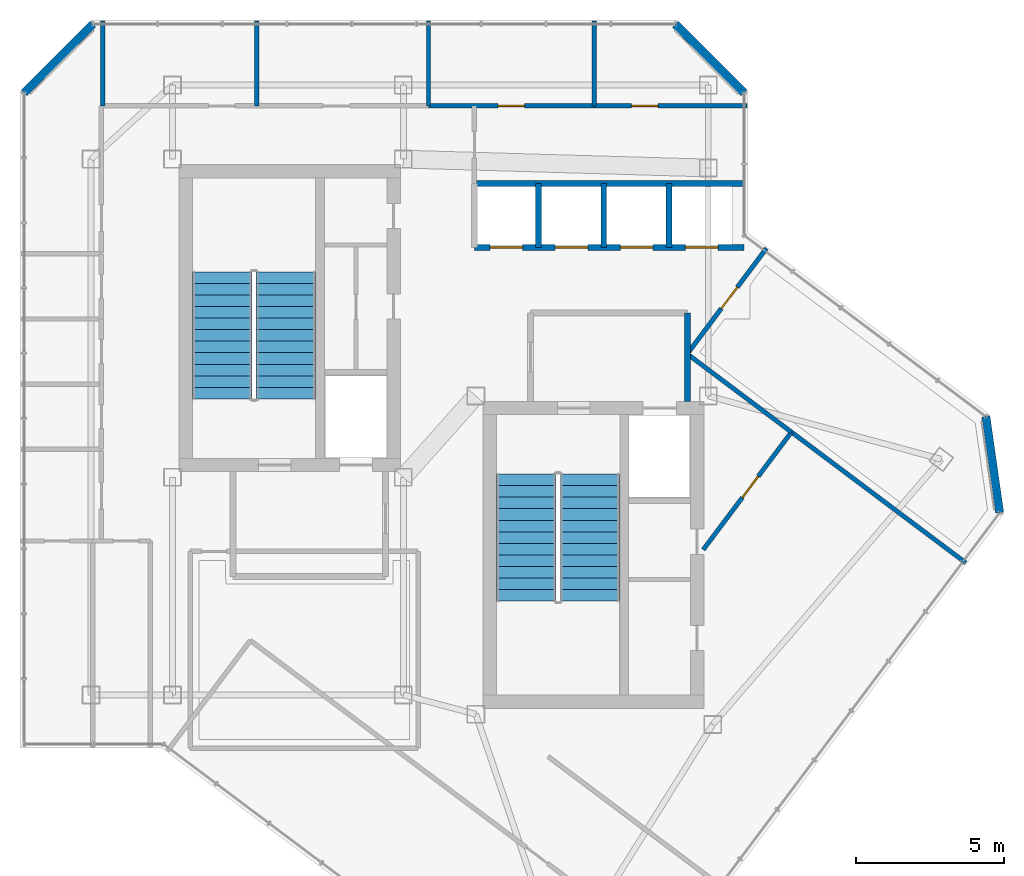
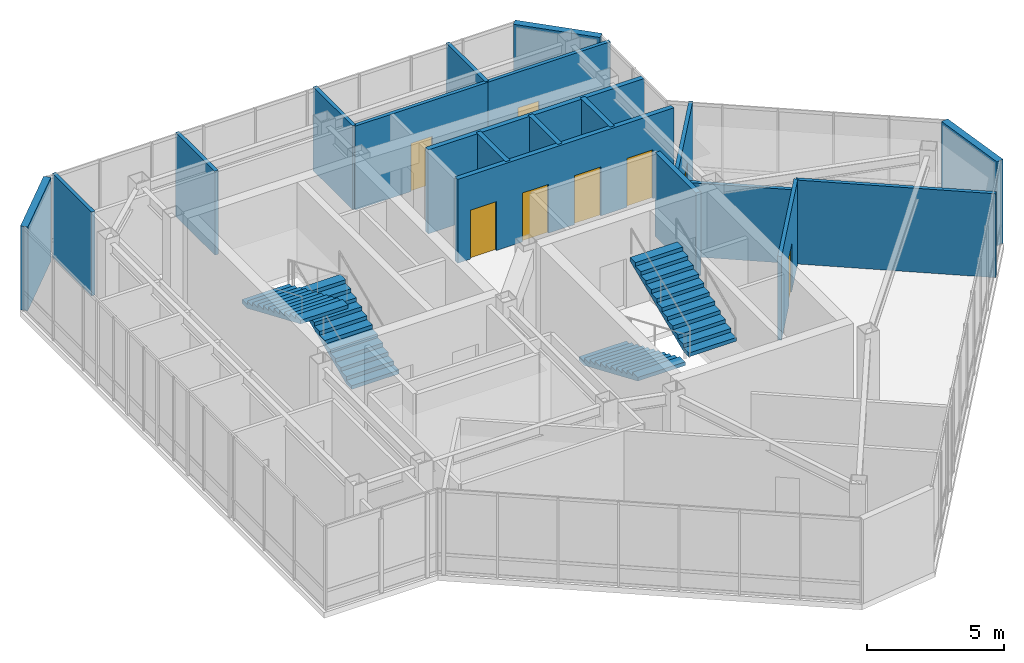
# One storey, part 27 of 29: 19 walls, 8 doors, 4 stair flights, 8 openings, 2 elements without a shape of their own.
"""IFC4 building model written with IfcOpenShell, lengths in metres."""

import ifcopenshell
import ifcopenshell.guid

model = None  # the IFC model being written
_history = None  # IfcOwnerHistory: only IFC2X3 demands one
_inside = {}  # id of a spatial element -> (the spatial element, [elements in it])
_under = {}  # id of a project, library or spatial element -> (it, [spatial elements below it])
_declared = {}  # id of a project -> (the project, [libraries it declares])
_typed = {}  # id of a type object -> (the type object, [elements of that type])
_made_of = {}  # id of a material, layer set ... -> (it, [elements and type objects made of it])


def new_model(schema):
    """Start an empty IFC model of exactly this schema.

    Asked for "IFC4X3", IfcOpenShell would pick the latest addendum, in which some entities
    have other attributes; the version numbers below select the first issue.
    IFC2X3 requires an IfcOwnerHistory on every rooted entity: one is made here for all.
    """
    global model, _history
    if schema == "IFC4X3":
        model = ifcopenshell.file(schema_version=(4, 3, 0, 0))
    else:
        model = ifcopenshell.file(schema=schema)
    _inside.clear()
    _under.clear()
    _declared.clear()
    _typed.clear()
    _made_of.clear()
    _history = None
    if model.schema == "IFC2X3":
        org = make("IfcOrganization", Name="unknown")
        user = make(
            "IfcPersonAndOrganization",
            ThePerson=make("IfcPerson", FamilyName="unknown"),
            TheOrganization=org,
        )
        app = make(
            "IfcApplication",
            ApplicationDeveloper=org,
            Version="unknown",
            ApplicationFullName="unknown",
            ApplicationIdentifier="unknown",
        )
        _history = make(
            "IfcOwnerHistory",
            OwningUser=user,
            OwningApplication=app,
            ChangeAction="ADDED",
            CreationDate=0,
        )
    return model


def make(cls, **values):
    """One entity of the class cls with the attributes given. An attribute that is None is left unset."""
    return model.create_entity(
        cls, **{name: value for name, value in values.items() if value is not None}
    )


def rooted(cls, **values):
    """An entity with a GlobalId (a new one), such as an element, a storey or a relation."""
    return make(cls, GlobalId=ifcopenshell.guid.new(), OwnerHistory=_history, **values)


def si_unit(unit_type, name, prefix=None):
    """IfcSIUnit, for example si_unit("LENGTHUNIT", "METRE", prefix="MILLI")."""
    return make("IfcSIUnit", UnitType=unit_type, Prefix=prefix, Name=name)


def assignment(units):
    """IfcUnitAssignment: the units of a project."""
    return None if units is None else make("IfcUnitAssignment", Units=units)


def point(xyz):
    """IfcCartesianPoint."""
    return None if xyz is None else make("IfcCartesianPoint", Coordinates=xyz)


def direction(xyz):
    """IfcDirection."""
    return None if xyz is None else make("IfcDirection", DirectionRatios=xyz)


def frame(location, z_axis=None, x_axis=None):
    """IfcAxis2Placement3D, a coordinate frame: its origin and axes. An axis left out is left unset."""
    return make(
        "IfcAxis2Placement3D",
        Location=point(location),
        Axis=direction(z_axis),
        RefDirection=direction(x_axis),
    )


def frame_2d(location, x_axis=None):
    """IfcAxis2Placement2D, a coordinate frame in the plane: its origin and x axis."""
    return make(
        "IfcAxis2Placement2D", Location=point(location), RefDirection=direction(x_axis)
    )


def origin():
    """The frame at (0, 0, 0) with its axes left unset."""
    return frame((0.0, 0.0, 0.0))


def place(relative_to, where):
    """IfcLocalPlacement: puts the frame where relative to a parent placement (None: the world)."""
    return make(
        "IfcLocalPlacement", PlacementRelTo=relative_to, RelativePlacement=where
    )


def context(
    kind, dimensions, precision=None, world=None, true_north=None, identifier=None
):
    """IfcGeometricRepresentationContext, for example the 3D "Model" context."""
    return make(
        "IfcGeometricRepresentationContext",
        ContextIdentifier=identifier,
        ContextType=kind,
        CoordinateSpaceDimension=dimensions,
        Precision=precision,
        WorldCoordinateSystem=world,
        TrueNorth=true_north,
    )


def subcontext(parent, identifier, kind, view, scale=None):
    """IfcGeometricRepresentationSubContext, for example "Body" below "Model"."""
    return make(
        "IfcGeometricRepresentationSubContext",
        ContextIdentifier=identifier,
        ContextType=kind,
        ParentContext=parent,
        TargetScale=scale,
        TargetView=view,
    )


def project(units=None, contexts=None):
    """IfcProject with its units and contexts."""
    return rooted(
        "IfcProject",
        Name="project",
        RepresentationContexts=contexts,
        UnitsInContext=assignment(units),
    )


def spatial(cls, under=None, at=None, **own):
    """A site, building, storey or space (cls), placed at a placement, below another one or the project."""
    s = rooted(cls, ObjectPlacement=at, **own)
    if under is not None:
        _under.setdefault(under.id(), (under, []))[1].append(s)
    return s


def polyline(points):
    """IfcPolyline through the points."""
    return make("IfcPolyline", Points=[point(p) for p in points])


def profile(cls, at=None, kind="AREA", **sizes):
    """A parametric profile (cls). Its sizes go by their IFC names, for example OverallWidth=200.0."""
    return make(cls, ProfileType=kind, Position=at, **sizes)


def rectangle(**sizes):
    """IfcRectangleProfileDef."""
    return profile("IfcRectangleProfileDef", **sizes)


def outline(outer, holes=None, kind="AREA"):
    """IfcArbitraryClosedProfileDef: a profile drawn as a closed curve; with holes, ...WithVoids."""
    if holes is None:
        return make("IfcArbitraryClosedProfileDef", ProfileType=kind, OuterCurve=outer)
    return make(
        "IfcArbitraryProfileDefWithVoids",
        ProfileType=kind,
        OuterCurve=outer,
        InnerCurves=holes,
    )


def extrude(swept, where, along, depth):
    """IfcExtrudedAreaSolid: the profile swept, set in the frame where, extruded along a direction by depth."""
    return make(
        "IfcExtrudedAreaSolid",
        SweptArea=swept,
        Position=where,
        ExtrudedDirection=direction(along),
        Depth=depth,
    )


def shape(context_of_items, identifier, shape_type, items):
    """IfcShapeRepresentation: the items that make up one representation, for example the "Body"."""
    return make(
        "IfcShapeRepresentation",
        ContextOfItems=context_of_items,
        RepresentationIdentifier=identifier,
        RepresentationType=shape_type,
        Items=items,
    )


def material(Name=None, Category=None):
    """IfcMaterial."""
    return make("IfcMaterial", Name=Name, Category=Category)


def layer(
    of_material, thickness, ventilated=None, Name=None, Category=None, Priority=None
):
    """IfcMaterialLayer: one layer of a wall or slab, of a material (None: an air gap)."""
    return make(
        "IfcMaterialLayer",
        Material=of_material,
        LayerThickness=thickness,
        IsVentilated=ventilated,
        Name=Name,
        Category=Category,
        Priority=Priority,
    )


def layer_set(layers, Name=None):
    """IfcMaterialLayerSet."""
    return make("IfcMaterialLayerSet", MaterialLayers=layers, LayerSetName=Name)


def made_of(thing, what):
    """Note that an element or type object is made of a material, layer set ...; save() writes the relation."""
    if what is not None:
        _made_of.setdefault(what.id(), (what, []))[1].append(thing)
    return thing


def type_object(cls, material=None, **own):
    """A type object (cls), such as IfcWallType, which elements share."""
    return made_of(rooted(cls, **own), material)


def element(
    cls,
    number,
    at=None,
    inside=None,
    cuts=None,
    type_object=None,
    material=None,
    context=None,
    identifier="Body",
    shape_type=None,
    held_by="IfcProductDefinitionShape",
    body=None,
    shapes=None,
    **own,
):
    """One element of the class cls, such as IfcWall. Its Tag is "e" and its number.

    at: its placement. inside: the storey or other place that contains it. cuts: it is an
    opening in that element (IfcRelVoidsElement). A single representation is given by context,
    identifier, shape_type and body (its items); several are given by shapes. held_by: the class
    of the entity that holds the representations. save() writes the other relations.
    """
    e = rooted(cls, Tag="e%d" % number, ObjectPlacement=at, **own)
    if body is not None:
        shapes = [shape(context, identifier, shape_type, body)]
    if shapes is not None:
        e.Representation = make(held_by, Representations=shapes)
    if inside is not None:
        _inside.setdefault(inside.id(), (inside, []))[1].append(e)
    if cuts is not None:
        rooted(
            "IfcRelVoidsElement", RelatingBuildingElement=cuts, RelatedOpeningElement=e
        )
    if type_object is not None:
        _typed.setdefault(type_object.id(), (type_object, []))[1].append(e)
    return made_of(e, material)


def fill(opening, filler):
    """IfcRelFillsElement: the door or window that sits in an opening."""
    return rooted(
        "IfcRelFillsElement",
        RelatingOpeningElement=opening,
        RelatedBuildingElement=filler,
    )


def aggregate(whole, parts):
    """IfcRelAggregates: a whole, such as a stair, and the parts it consists of."""
    return rooted("IfcRelAggregates", RelatingObject=whole, RelatedObjects=parts)


def save(model, path):
    """Write the relations noted so far, then the file.

    IfcRelAggregates (storeys below a building ...), IfcRelContainedInSpatialStructure (elements
    in a storey), IfcRelDefinesByType, IfcRelAssociatesMaterial and IfcRelDeclares: one each for
    every whole, place, type object, material and project.
    """
    for whole, parts in _under.values():
        aggregate(whole, parts)
    for where, things in _inside.values():
        rooted(
            "IfcRelContainedInSpatialStructure",
            RelatedElements=things,
            RelatingStructure=where,
        )
    for kind, things in _typed.values():
        rooted("IfcRelDefinesByType", RelatedObjects=things, RelatingType=kind)
    for what, things in _made_of.values():
        rooted("IfcRelAssociatesMaterial", RelatedObjects=things, RelatingMaterial=what)
    for by, libraries in _declared.values():
        rooted("IfcRelDeclares", RelatingContext=by, RelatedDefinitions=libraries)
    model.write(path)


model = new_model("IFC4")

# Units and contexts
model_context = context("Model", 3, precision=1e-05, world=origin(), true_north=direction((0.0, 1.0)))
body_context = subcontext(model_context, "Body", "Model", "MODEL_VIEW")
ifc_project = project(units=[si_unit("LENGTHUNIT", "METRE"), si_unit("AREAUNIT", "SQUARE_METRE"), si_unit("VOLUMEUNIT", "CUBIC_METRE"), si_unit("PLANEANGLEUNIT", "RADIAN"), si_unit("MASSUNIT", "GRAM", prefix="KILO")], contexts=[model_context])

# Site, building, storey
site_placement = place(None, origin())
site = spatial("IfcSite", under=ifc_project, at=site_placement, CompositionType="ELEMENT")
building_placement = place(site_placement, origin())
building = spatial("IfcBuilding", under=site, at=building_placement, Name="Hatsunagi Terrace Concourse", CompositionType="ELEMENT")
storey_placement = place(building_placement, frame((0.0, 0.0, 277.949951171875)))
storey = spatial("IfcBuildingStorey", under=building, at=storey_placement, Name="L73", CompositionType="ELEMENT", Elevation=277.949951171875)

# Walls
ifc_material_1 = material(Name="Acoustic mineral board", Category="gypsum")
ifc_layer_1 = layer(ifc_material_1, 0.14990234375)
ifc_layer_set_1 = layer_set([ifc_layer_1], Name="PartitionWall_EI60_150")
wall_type_1 = type_object("IfcWallType", Name="PartitionWall_EI60_150", PredefinedType="PARTITIONING", material=ifc_layer_set_1)
for number, where, z_axis, x_axis, name in (
    (1, (23.199951171875, 45.10009765625, 0.0), (0.0, 0.0, 1.0), (0.0, 1.0, 0.0), "Interior Partition IW-L73-030"),
    (2, (28.39990234375, 45.10009765625, 0.0), (0.0, 0.0, 1.0), (0.0, 1.0, 0.0), "Interior Partition IW-L73-031"),
    (3, (34.199951171875, 45.10009765625, 0.0), (0.0, 0.0, 1.0), (0.0, 1.0, 0.0), "Interior Partition IW-L73-033"),
):
    element("IfcWall", number, at=place(storey_placement, frame(where, z_axis=z_axis, x_axis=x_axis)), inside=storey, type_object=wall_type_1, Name=name, PredefinedType="PARTITIONING", context=body_context, shape_type="SweptSolid", body=[
        extrude(rectangle(XDim=2.85986328125, YDim=0.14990234375, at=frame_2d((1.429931640625, 0.0))), origin(), (0.0, 0.0, 1.0), 3.739990234375),
    ])

# Wall, opening, door
wall_1_placement = place(storey_placement, frame((34.199951171875, 45.10009765625, 0.0), z_axis=(0.0, 0.0, 1.0), x_axis=(1.0, 0.0, 0.0)))
wall_1 = element("IfcWall", 4, at=wall_1_placement, inside=storey, type_object=wall_type_1, Name="Interior Partition IW-L73-034", PredefinedType="PARTITIONING", context=body_context, shape_type="SweptSolid", body=[
    extrude(rectangle(XDim=5.60009765625, YDim=0.14990234375, at=frame_2d((2.800048828125, 0.0))), origin(), (0.0, 0.0, 1.0), 3.739990234375),
])
opening_1_placement = place(wall_1_placement, frame((2.35009765625, 0.0, 0.0)))
opening_1 = element("IfcOpeningElement", 5, at=opening_1_placement, cuts=wall_1, Name="Opening DR-090", PredefinedType="OPENING", context=body_context, shape_type="SweptSolid", body=[
    extrude(rectangle(XDim=0.89990234375, YDim=2.14990234375, at=frame_2d((0.449951171875, 1.074951171875))), frame((0.0, 0.0849609375, 0.0), z_axis=(0.0, -1.0, 0.0), x_axis=(1.0, 0.0, 0.0)), (0.0, 0.0, 1.0), 0.169921875),
])
ifc_material_2 = material(Name="Hardwood timber", Category="wood")
door_type_1 = type_object("IfcDoorType", Name="CrownPavilionDoor_EI30_900", OperationType="NOTDEFINED", PredefinedType="DOOR", material=ifc_material_2)
door_1_placement = place(opening_1_placement, origin())
door_1 = element("IfcDoor", 6, at=door_1_placement, inside=storey, type_object=door_type_1, Name="VIP Lounge L73-CRN3 Door", OperationType="SINGLE_SWING_RIGHT", OverallHeight=2.14990234375, OverallWidth=0.89990234375, PredefinedType="DOOR", context=body_context, shape_type="SweptSolid", body=[
    extrude(rectangle(XDim=0.89990234375, YDim=2.14990234375, at=frame_2d((0.449951171875, 1.074951171875))), frame((0.0, 0.02490234375, 0.0), z_axis=(0.0, -1.0, 0.0), x_axis=(1.0, 0.0, 0.0)), (0.0, 0.0, 1.0), 0.050048828125),
])
fill(opening_1, door_1)

# Wall
wall_2_placement = place(storey_placement, frame((39.800048828125, 45.10009765625, 0.0), z_axis=(0.0, 0.0, 1.0), x_axis=(0.0, 1.0, 0.0)))
element("IfcWall", 7, at=wall_2_placement, inside=storey, type_object=wall_type_1, Name="Interior Partition IW-L73-035", PredefinedType="PARTITIONING", context=body_context, shape_type="SweptSolid", body=[
    extrude(rectangle(XDim=2.85986328125, YDim=0.14990234375, at=frame_2d((1.429931640625, 0.0))), origin(), (0.0, 0.0, 1.0), 3.739990234375),
])

# Wall, opening, door
wall_3_placement = place(storey_placement, frame((39.800048828125, 45.10009765625, 0.0), z_axis=(0.0, 0.0, 1.0), x_axis=(1.0, 0.0, 0.0)))
wall_3 = element("IfcWall", 8, at=wall_3_placement, inside=storey, type_object=wall_type_1, Name="Interior Partition IW-L73-036", PredefinedType="PARTITIONING", context=body_context, shape_type="SweptSolid", body=[
    extrude(rectangle(XDim=5.159912109375, YDim=0.14990234375, at=frame_2d((2.580078125, 0.0))), origin(), (0.0, 0.0, 1.0), 3.739990234375),
])
opening_2_placement = place(wall_3_placement, frame((1.2548828125, 0.0, 0.0)))
opening_2 = element("IfcOpeningElement", 9, at=opening_2_placement, cuts=wall_3, Name="Opening DR-090", PredefinedType="OPENING", context=body_context, shape_type="SweptSolid", body=[
    extrude(rectangle(XDim=0.89990234375, YDim=2.14990234375, at=frame_2d((0.449951171875, 1.074951171875))), frame((0.0, 0.0849609375, 0.0), z_axis=(0.0, -1.0, 0.0), x_axis=(1.0, 0.0, 0.0)), (0.0, 0.0, 1.0), 0.169921875),
])
door_2_placement = place(opening_2_placement, origin())
door_2 = element("IfcDoor", 10, at=door_2_placement, inside=storey, type_object=door_type_1, Name="Executive Office L73-CRN4 Door", OperationType="SINGLE_SWING_RIGHT", OverallHeight=2.14990234375, OverallWidth=0.89990234375, PredefinedType="DOOR", context=body_context, shape_type="SweptSolid", body=[
    extrude(rectangle(XDim=0.89990234375, YDim=2.14990234375, at=frame_2d((0.449951171875, 1.074951171875))), frame((0.0, 0.02490234375, 0.0), z_axis=(0.0, -1.0, 0.0), x_axis=(1.0, 0.0, 0.0)), (0.0, 0.0, 1.0), 0.050048828125),
])
fill(opening_2, door_2)

# Wall
wall_4_placement = place(storey_placement, frame((46.4599609375, 34.080078125, 0.0), z_axis=(0.0, 0.0, 1.0), x_axis=(0.799996019408, -0.60000530742, 0.0)))
element("IfcWall", 11, at=wall_4_placement, inside=storey, type_object=wall_type_1, Name="Interior Partition IW-L73-047", PredefinedType="PARTITIONING", context=body_context, shape_type="SweptSolid", body=[
    extrude(rectangle(XDim=7.35986328125, YDim=0.14990234375, at=frame_2d((3.679931640625, 0.0))), origin(), (0.0, 0.0, 1.0), 3.739990234375),
])

# Wall, opening, door
wall_5_placement = place(storey_placement, frame((43.47998046875, 30.10693359375, 0.0), z_axis=(0.0, 0.0, 1.0), x_axis=(0.600015730265, 0.799988202059, 0.0)))
wall_5 = element("IfcWall", 12, at=wall_5_placement, inside=storey, type_object=wall_type_1, Name="Interior Partition IW-L73-048", PredefinedType="PARTITIONING", context=body_context, shape_type="SweptSolid", body=[
    extrude(rectangle(XDim=4.966552734375, YDim=0.14990234375, at=frame_2d((2.4833984375, 0.0))), origin(), (0.0, 0.0, 1.0), 3.739990234375),
])
opening_3_placement = place(wall_5_placement, frame((2.198974609375, 0.0, 0.0)))
opening_3 = element("IfcOpeningElement", 13, at=opening_3_placement, cuts=wall_5, Name="Opening DR-090", PredefinedType="OPENING", context=body_context, shape_type="SweptSolid", body=[
    extrude(rectangle(XDim=0.89990234375, YDim=2.14990234375, at=frame_2d((0.449951171875, 1.074951171875))), frame((0.0, 0.0849609375, 0.0), z_axis=(0.0, -1.0, 0.0), x_axis=(1.0, 0.0, 0.0)), (0.0, 0.0, 1.0), 0.169921875),
])
door_3_placement = place(opening_3_placement, origin())
door_3 = element("IfcDoor", 14, at=door_3_placement, inside=storey, type_object=door_type_1, Name="Crown Executive Suite L73-CR2A Door", OperationType="SINGLE_SWING_RIGHT", OverallHeight=2.14990234375, OverallWidth=0.89990234375, PredefinedType="DOOR", context=body_context, shape_type="SweptSolid", body=[
    extrude(rectangle(XDim=0.89990234375, YDim=2.14990234375, at=frame_2d((0.449951171875, 1.074951171875))), frame((0.0, 0.02490234375, 0.0), z_axis=(0.0, -1.0, 0.0), x_axis=(1.0, 0.0, 0.0)), (0.0, 0.0, 1.0), 0.050048828125),
])
fill(opening_3, door_3)

# Wall
wall_6_placement = place(storey_placement, frame((42.93994140625, 36.719970703125, 0.0), z_axis=(0.0, 0.0, 1.0), x_axis=(0.800013316712, -0.599982243973, 0.0)))
element("IfcWall", 15, at=wall_6_placement, inside=storey, type_object=wall_type_1, Name="Interior Partition IW-L73-049", PredefinedType="PARTITIONING", context=body_context, shape_type="SweptSolid", body=[
    extrude(rectangle(XDim=4.39990234375, YDim=0.14990234375, at=frame_2d((2.199951171875, 0.0))), origin(), (0.0, 0.0, 1.0), 3.295166015625),
])

# Wall, opening, door
wall_7_placement = place(storey_placement, frame((42.93994140625, 36.719970703125, 0.0), z_axis=(0.0, 0.0, 1.0), x_axis=(0.599991241767, 0.8000065686, 0.0)))
wall_7 = element("IfcWall", 16, at=wall_7_placement, inside=storey, type_object=wall_type_1, Name="Interior Partition IW-L73-050", PredefinedType="PARTITIONING", context=body_context, shape_type="SweptSolid", body=[
    extrude(rectangle(XDim=4.460205078125, YDim=0.14990234375, at=frame_2d((2.22998046875, 0.0))), origin(), (0.0, 0.0, 1.0), 3.739990234375),
])
opening_4_placement = place(wall_7_placement, frame((1.919921875, 0.0, 0.0)))
opening_4 = element("IfcOpeningElement", 17, at=opening_4_placement, cuts=wall_7, Name="Opening DR-090", PredefinedType="OPENING", context=body_context, shape_type="SweptSolid", body=[
    extrude(rectangle(XDim=0.89990234375, YDim=2.14990234375, at=frame_2d((0.449951171875, 1.074951171875))), frame((0.0, 0.0849609375, 0.0), z_axis=(0.0, -1.0, 0.0), x_axis=(1.0, 0.0, 0.0)), (0.0, 0.0, 1.0), 0.169921875),
])
door_4_placement = place(opening_4_placement, origin())
door_4 = element("IfcDoor", 18, at=door_4_placement, inside=storey, type_object=door_type_1, Name="Meeting Room L73-CR2B Door", OperationType="SINGLE_SWING_LEFT", OverallHeight=2.14990234375, OverallWidth=0.89990234375, PredefinedType="DOOR", context=body_context, shape_type="SweptSolid", body=[
    extrude(rectangle(XDim=0.89990234375, YDim=2.14990234375, at=frame_2d((0.449951171875, 1.074951171875))), frame((0.0, 0.02490234375, 0.0), z_axis=(0.0, -1.0, 0.0), x_axis=(1.0, 0.0, 0.0)), (0.0, 0.0, 1.0), 0.050048828125),
])
fill(opening_4, door_4)

# Walls
ifc_material_3 = material(Name="Acoustic mineral board", Category="gypsum")
ifc_layer_2 = layer(ifc_material_3, 0.199951171875)
ifc_layer_set_2 = layer_set([ifc_layer_2], Name="ShaftWall_EI120_200")
wall_type_2 = type_object("IfcWallType", Name="ShaftWall_EI120_200", PredefinedType="STANDARD", material=ifc_layer_set_2)
wall_8_placement = place(storey_placement, frame((42.949951171875, 35.1201171875, 0.0), z_axis=(0.0, 0.0, 1.0), x_axis=(0.0, 1.0, 0.0)))
element("IfcWall", 19, at=wall_8_placement, inside=storey, type_object=wall_type_2, Name="Interior Partition IW-L73-010", PredefinedType="STANDARD", context=body_context, shape_type="SweptSolid", body=[
    extrude(rectangle(XDim=2.97998046875, YDim=0.199951171875, at=frame_2d((1.489990234375, 0.0))), origin(), (0.0, 0.0, 1.0), 3.739990234375),
])
wall_9_placement = place(storey_placement, frame((35.75, 42.47998046875, 0.0), z_axis=(0.0, 0.0, 1.0), x_axis=(1.0, 0.0, 0.0)))
element("IfcWall", 20, at=wall_9_placement, inside=storey, type_object=wall_type_2, Name="Interior Partition IW-L73-012", PredefinedType="STANDARD", context=body_context, shape_type="SweptSolid", body=[
    extrude(rectangle(XDim=9.110107421875, YDim=0.199951171875, at=frame_2d((4.55517578125, 0.0))), origin(), (0.0, 0.0, 1.0), 3.739990234375),
])
for number, where, z_axis, x_axis, name in (
    (21, (37.919921875, 40.320068359375, 0.0), (0.0, 0.0, 1.0), (0.0, 1.0, 0.0), "Interior Partition IW-L73-014"),
    (22, (40.1201171875, 40.320068359375, 0.0), (0.0, 0.0, 1.0), (0.0, 1.0, 0.0), "Interior Partition IW-L73-015"),
    (23, (42.320068359375, 40.320068359375, 0.0), (0.0, 0.0, 1.0), (0.0, 1.0, 0.0), "Interior Partition IW-L73-016"),
):
    element("IfcWall", number, at=place(storey_placement, frame(where, z_axis=z_axis, x_axis=x_axis)), inside=storey, type_object=wall_type_2, Name=name, PredefinedType="STANDARD", context=body_context, shape_type="SweptSolid", body=[
        extrude(rectangle(XDim=2.159912109375, YDim=0.199951171875, at=frame_2d((1.080078125, 0.0))), origin(), (0.0, 0.0, 1.0), 3.739990234375),
    ])

# Wall, openings, doors
wall_10_placement = place(storey_placement, frame((35.75, 40.320068359375, 0.0), z_axis=(0.0, 0.0, 1.0), x_axis=(1.0, 0.0, 0.0)))
wall_10 = element("IfcWall", 24, at=wall_10_placement, inside=storey, type_object=wall_type_2, Name="Interior Partition IW-L73-017", PredefinedType="STANDARD", context=body_context, shape_type="SweptSolid", body=[
    extrude(rectangle(XDim=9.110107421875, YDim=0.199951171875, at=frame_2d((4.55517578125, 0.0))), origin(), (0.0, 0.0, 1.0), 3.739990234375),
])
opening_5_placement = place(wall_10_placement, frame((0.530029296875, 0.0, 0.0)))
opening_5 = element("IfcOpeningElement", 25, at=opening_5_placement, cuts=wall_10, Name="Opening LD-04", PredefinedType="OPENING", context=body_context, shape_type="SweptSolid", body=[
    extrude(rectangle(XDim=1.10009765625, YDim=2.179931640625, at=frame_2d((0.550048828125, 1.08984375))), frame((0.0, 0.10986328125, 0.0), z_axis=(0.0, -1.0, 0.0), x_axis=(1.0, 0.0, 0.0)), (0.0, 0.0, 1.0), 0.219970703125),
])
opening_6_placement = place(wall_10_placement, frame((2.72998046875, 0.0, 0.0)))
opening_6 = element("IfcOpeningElement", 26, at=opening_6_placement, cuts=wall_10, Name="Opening LD-04", PredefinedType="OPENING", context=body_context, shape_type="SweptSolid", body=[
    extrude(rectangle(XDim=1.10009765625, YDim=2.179931640625, at=frame_2d((0.550048828125, 1.08984375))), frame((0.0, 0.10986328125, 0.0), z_axis=(0.0, -1.0, 0.0), x_axis=(1.0, 0.0, 0.0)), (0.0, 0.0, 1.0), 0.219970703125),
])
opening_7_placement = place(wall_10_placement, frame((4.929931640625, 0.0, 0.0)))
opening_7 = element("IfcOpeningElement", 27, at=opening_7_placement, cuts=wall_10, Name="Opening LD-04", PredefinedType="OPENING", context=body_context, shape_type="SweptSolid", body=[
    extrude(rectangle(XDim=1.10009765625, YDim=2.179931640625, at=frame_2d((0.550048828125, 1.08984375))), frame((0.0, 0.10986328125, 0.0), z_axis=(0.0, -1.0, 0.0), x_axis=(1.0, 0.0, 0.0)), (0.0, 0.0, 1.0), 0.219970703125),
])
opening_8_placement = place(wall_10_placement, frame((7.1298828125, 0.0, 0.0)))
opening_8 = element("IfcOpeningElement", 28, at=opening_8_placement, cuts=wall_10, Name="Opening LD-04", PredefinedType="OPENING", context=body_context, shape_type="SweptSolid", body=[
    extrude(rectangle(XDim=1.10009765625, YDim=2.179931640625, at=frame_2d((0.550048828125, 1.08984375))), frame((0.0, 0.10986328125, 0.0), z_axis=(0.0, -1.0, 0.0), x_axis=(1.0, 0.0, 0.0)), (0.0, 0.0, 1.0), 0.219970703125),
])
ifc_material_4 = material(Name="Stainless steel", Category="steel")
door_type_2 = type_object("IfcDoorType", Name="LiftLandingDoor_LD04", OperationType="SLIDING_TO_RIGHT", PredefinedType="USERDEFINED", material=ifc_material_4)
door_5_placement = place(opening_5_placement, origin())
door_5 = element("IfcDoor", 29, at=door_5_placement, inside=storey, type_object=door_type_2, Name="Lift landing door PL-05 L73", ObjectType="SLIDING_LANDING_DOOR", OperationType="SLIDING_TO_RIGHT", OverallHeight=2.179931640625, OverallWidth=1.10009765625, PredefinedType="USERDEFINED", context=body_context, shape_type="SweptSolid", body=[
    extrude(rectangle(XDim=1.10009765625, YDim=2.179931640625, at=frame_2d((0.550048828125, 1.08984375))), frame((0.0, 0.02490234375, 0.0), z_axis=(0.0, -1.0, 0.0), x_axis=(1.0, 0.0, 0.0)), (0.0, 0.0, 1.0), 0.050048828125),
])
fill(opening_5, door_5)
door_6_placement = place(opening_6_placement, origin())
door_6 = element("IfcDoor", 30, at=door_6_placement, inside=storey, type_object=door_type_2, Name="Lift landing door PL-06 L73", ObjectType="SLIDING_LANDING_DOOR", OperationType="SLIDING_TO_RIGHT", OverallHeight=2.179931640625, OverallWidth=1.10009765625, PredefinedType="USERDEFINED", context=body_context, shape_type="SweptSolid", body=[
    extrude(rectangle(XDim=1.10009765625, YDim=2.179931640625, at=frame_2d((0.550048828125, 1.08984375))), frame((0.0, 0.02490234375, 0.0), z_axis=(0.0, -1.0, 0.0), x_axis=(1.0, 0.0, 0.0)), (0.0, 0.0, 1.0), 0.050048828125),
])
fill(opening_6, door_6)
door_7_placement = place(opening_7_placement, origin())
door_7 = element("IfcDoor", 31, at=door_7_placement, inside=storey, type_object=door_type_2, Name="Lift landing door PL-07 L73", ObjectType="SLIDING_LANDING_DOOR", OperationType="SLIDING_TO_RIGHT", OverallHeight=2.179931640625, OverallWidth=1.10009765625, PredefinedType="USERDEFINED", context=body_context, shape_type="SweptSolid", body=[
    extrude(rectangle(XDim=1.10009765625, YDim=2.179931640625, at=frame_2d((0.550048828125, 1.08984375))), frame((0.0, 0.02490234375, 0.0), z_axis=(0.0, -1.0, 0.0), x_axis=(1.0, 0.0, 0.0)), (0.0, 0.0, 1.0), 0.050048828125),
])
fill(opening_7, door_7)
door_8_placement = place(opening_8_placement, origin())
door_8 = element("IfcDoor", 32, at=door_8_placement, inside=storey, type_object=door_type_2, Name="Lift landing door PL-08 L73", ObjectType="SLIDING_LANDING_DOOR", OperationType="SLIDING_TO_RIGHT", OverallHeight=2.179931640625, OverallWidth=1.10009765625, PredefinedType="USERDEFINED", context=body_context, shape_type="SweptSolid", body=[
    extrude(rectangle(XDim=1.10009765625, YDim=2.179931640625, at=frame_2d((0.550048828125, 1.08984375))), frame((0.0, 0.02490234375, 0.0), z_axis=(0.0, -1.0, 0.0), x_axis=(1.0, 0.0, 0.0)), (0.0, 0.0, 1.0), 0.050048828125),
])
fill(opening_8, door_8)

# Walls
ifc_material_5 = material(Name="Autoclaved Lightweight Concrete and Terracotta Cladding", Category="masonry")
ifc_layer_3 = layer(ifc_material_5, 0.280029296875)
ifc_layer_set_3 = layer_set([ifc_layer_3], Name="TerracottaSpandrelWall_280")
wall_type_3 = type_object("IfcWallType", Name="TerracottaSpandrelWall_280", PredefinedType="STANDARD", material=ifc_layer_set_3)
for number, where, z_axis, x_axis, name in (
    (33, (53.030029296875, 34.60302734375, 0.0), (0.0, 0.0, 1.0), (0.141212810973, -0.989979263428, 0.0), "Exterior Spandrel Wall EW-L73-02"),
    (34, (20.5400390625, 45.5419921875, 0.0), (0.0, 0.0, 1.0), (0.707069542501, 0.707144017911, 0.0), "Exterior Spandrel Wall EW-L73-08"),
):
    element("IfcWall", number, at=place(storey_placement, frame(where, z_axis=z_axis, x_axis=x_axis)), inside=storey, type_object=wall_type_3, Name=name, PredefinedType="STANDARD", context=body_context, shape_type="SweptSolid", body=[
        extrude(rectangle(XDim=3.278076171875, YDim=0.280029296875, at=frame_2d((1.63916015625, 0.0))), origin(), (0.0, 0.0, 1.0), 3.739990234375),
    ])
wall_11_placement = place(storey_placement, frame((42.5419921875, 47.860107421875, 0.0), z_axis=(0.0, 0.0, 1.0), x_axis=(0.707106781187, -0.707106781187, 0.0)))
element("IfcWall", 35, at=wall_11_placement, inside=storey, type_object=wall_type_3, Name="Exterior Spandrel Wall EW-L73-10", PredefinedType="STANDARD", context=body_context, shape_type="SweptSolid", body=[
    extrude(rectangle(XDim=3.2783203125, YDim=0.280029296875, at=frame_2d((1.63916015625, 0.0))), origin(), (0.0, 0.0, 1.0), 3.739990234375),
])

# Stair, stair flights
ifc_material_6 = material(Name="Concrete Fc42", Category="concrete")
stair_type = type_object("IfcStairType", Name="DoglegExitStair_Tower2000_24R_167", PredefinedType="HALF_TURN_STAIR", material=ifc_material_6)
stair_1_placement = place(storey_placement, origin())
stair_1 = element("IfcStair", 36, at=stair_1_placement, inside=storey, type_object=stair_type, Name="L73 Core A Protected Exit Stair ST-A", PredefinedType="HALF_TURN_STAIR")
ifc_material_7 = material(Name="Concrete Fc42", Category="concrete")
stair_flight_type = type_object("IfcStairFlightType", Name="DoglegStairFlight_Tower2000_24R_167", PredefinedType="STRAIGHT", material=ifc_material_7)
stair_flight_1_placement = place(storey_placement, frame((29.3798828125, 35.199951171875, 0.0), z_axis=(0.0, 0.0, 1.0), x_axis=(0.0, 1.0, 0.0)))
stair_flight_1 = element("IfcStairFlight", 37, at=stair_flight_1_placement, type_object=stair_flight_type, Name="ST-A flight 1", NumberOfRisers=12, NumberOfTreads=11, PredefinedType="STRAIGHT", RiserHeight=0.166666667, TreadLength=0.39, context=body_context, shape_type="SweptSolid", body=[
    extrude(outline(polyline([(0.0, 0.0), (0.0, 0.166748046875), (0.389892578125, 0.166748046875), (0.389892578125, 0.333251953125), (0.780029296875, 0.333251953125), (0.780029296875, 0.5), (1.169921875, 0.5), (1.169921875, 0.666748046875), (1.56005859375, 0.666748046875), (1.56005859375, 0.833251953125), (1.949951171875, 0.833251953125), (1.949951171875, 1.0), (2.340087890625, 1.0), (2.340087890625, 1.166748046875), (2.72998046875, 1.166748046875), (2.72998046875, 1.333251953125), (3.1201171875, 1.333251953125), (3.1201171875, 1.5), (3.510009765625, 1.5), (3.510009765625, 1.666748046875), (3.89990234375, 1.666748046875), (3.89990234375, 1.833251953125), (4.2900390625, 1.833251953125), (4.2900390625, 2.0), (4.2900390625, 1.67041015625), (0.38134765625, 0.0), (0.0, 0.0)])), frame((0.0, 1.0, 0.0), z_axis=(0.0, -1.0, 0.0), x_axis=(1.0, 0.0, 0.0)), (0.0, 0.0, 1.0), 2.0),
])
stair_flight_2_placement = place(storey_placement, frame((27.22998046875, 39.489990234375, 2.0), z_axis=(0.0, 0.0, 1.0), x_axis=(0.0, -1.0, 0.0)))
stair_flight_2 = element("IfcStairFlight", 38, at=stair_flight_2_placement, type_object=stair_flight_type, Name="ST-A flight 2", NumberOfRisers=12, NumberOfTreads=11, PredefinedType="STRAIGHT", RiserHeight=0.166666667, TreadLength=0.39, context=body_context, shape_type="SweptSolid", body=[
    extrude(outline(polyline([(0.0, 0.0), (0.0, 0.166748046875), (0.389892578125, 0.166748046875), (0.389892578125, 0.333251953125), (0.780029296875, 0.333251953125), (0.780029296875, 0.5), (1.169921875, 0.5), (1.169921875, 0.666748046875), (1.56005859375, 0.666748046875), (1.56005859375, 0.833251953125), (1.949951171875, 0.833251953125), (1.949951171875, 1.0), (2.340087890625, 1.0), (2.340087890625, 1.166748046875), (2.72998046875, 1.166748046875), (2.72998046875, 1.333251953125), (3.1201171875, 1.333251953125), (3.1201171875, 1.5), (3.510009765625, 1.5), (3.510009765625, 1.666748046875), (3.89990234375, 1.666748046875), (3.89990234375, 1.833251953125), (4.2900390625, 1.833251953125), (4.2900390625, 2.0), (4.2900390625, 1.67041015625), (0.38134765625, 0.0), (0.0, 0.0)])), frame((0.0, 1.0, 0.0), z_axis=(0.0, -1.0, 0.0), x_axis=(1.0, 0.0, 0.0)), (0.0, 0.0, 1.0), 2.0),
])
aggregate(stair_1, [stair_flight_1, stair_flight_2])

stair_2_placement = place(storey_placement, origin())
stair_2 = element("IfcStair", 39, at=stair_2_placement, inside=storey, type_object=stair_type, Name="L73 Core B Protected Exit Stair ST-B", PredefinedType="HALF_TURN_STAIR")
stair_flight_3_placement = place(storey_placement, frame((37.5, 32.659912109375, 0.0), z_axis=(0.0, 0.0, 1.0), x_axis=(0.0, -1.0, 0.0)))
stair_flight_3 = element("IfcStairFlight", 40, at=stair_flight_3_placement, type_object=stair_flight_type, Name="ST-B flight 1", NumberOfRisers=12, NumberOfTreads=11, PredefinedType="STRAIGHT", RiserHeight=0.166666667, TreadLength=0.39, context=body_context, shape_type="SweptSolid", body=[
    extrude(outline(polyline([(0.0, 0.0), (0.0, 0.166748046875), (0.389892578125, 0.166748046875), (0.389892578125, 0.333251953125), (0.780029296875, 0.333251953125), (0.780029296875, 0.5), (1.169921875, 0.5), (1.169921875, 0.666748046875), (1.56005859375, 0.666748046875), (1.56005859375, 0.833251953125), (1.949951171875, 0.833251953125), (1.949951171875, 1.0), (2.340087890625, 1.0), (2.340087890625, 1.166748046875), (2.72998046875, 1.166748046875), (2.72998046875, 1.333251953125), (3.1201171875, 1.333251953125), (3.1201171875, 1.5), (3.510009765625, 1.5), (3.510009765625, 1.666748046875), (3.89990234375, 1.666748046875), (3.89990234375, 1.833251953125), (4.2900390625, 1.833251953125), (4.2900390625, 2.0), (4.2900390625, 1.67041015625), (0.38134765625, 0.0), (0.0, 0.0)])), frame((0.0, 1.0, 0.0), z_axis=(0.0, -1.0, 0.0), x_axis=(1.0, 0.0, 0.0)), (0.0, 0.0, 1.0), 2.0),
])
stair_flight_4_placement = place(storey_placement, frame((39.64990234375, 28.3701171875, 2.0), z_axis=(0.0, 0.0, 1.0), x_axis=(0.0, 1.0, 0.0)))
stair_flight_4 = element("IfcStairFlight", 41, at=stair_flight_4_placement, type_object=stair_flight_type, Name="ST-B flight 2", NumberOfRisers=12, NumberOfTreads=11, PredefinedType="STRAIGHT", RiserHeight=0.166666667, TreadLength=0.39, context=body_context, shape_type="SweptSolid", body=[
    extrude(outline(polyline([(0.0, 0.0), (0.0, 0.166748046875), (0.389892578125, 0.166748046875), (0.389892578125, 0.333251953125), (0.780029296875, 0.333251953125), (0.780029296875, 0.5), (1.169921875, 0.5), (1.169921875, 0.666748046875), (1.56005859375, 0.666748046875), (1.56005859375, 0.833251953125), (1.949951171875, 0.833251953125), (1.949951171875, 1.0), (2.340087890625, 1.0), (2.340087890625, 1.166748046875), (2.72998046875, 1.166748046875), (2.72998046875, 1.333251953125), (3.1201171875, 1.333251953125), (3.1201171875, 1.5), (3.510009765625, 1.5), (3.510009765625, 1.666748046875), (3.89990234375, 1.666748046875), (3.89990234375, 1.833251953125), (4.2900390625, 1.833251953125), (4.2900390625, 2.0), (4.2900390625, 1.67041015625), (0.38134765625, 0.0), (0.0, 0.0)])), frame((0.0, 1.0, 0.0), z_axis=(0.0, -1.0, 0.0), x_axis=(1.0, 0.0, 0.0)), (0.0, 0.0, 1.0), 2.0),
])
aggregate(stair_2, [stair_flight_3, stair_flight_4])

save(model, "model.ifc")
